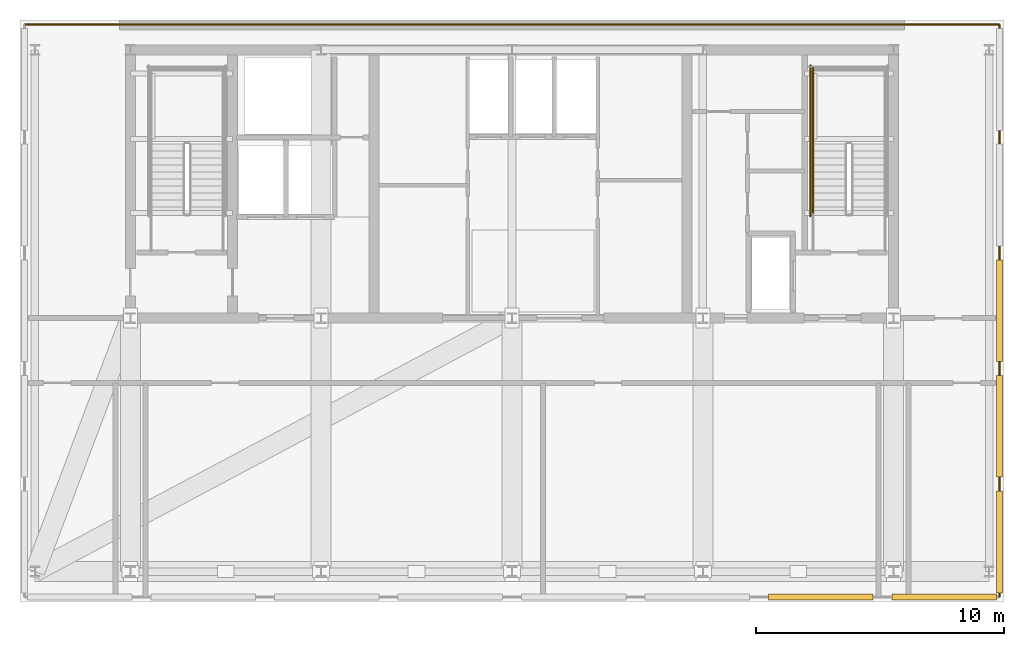
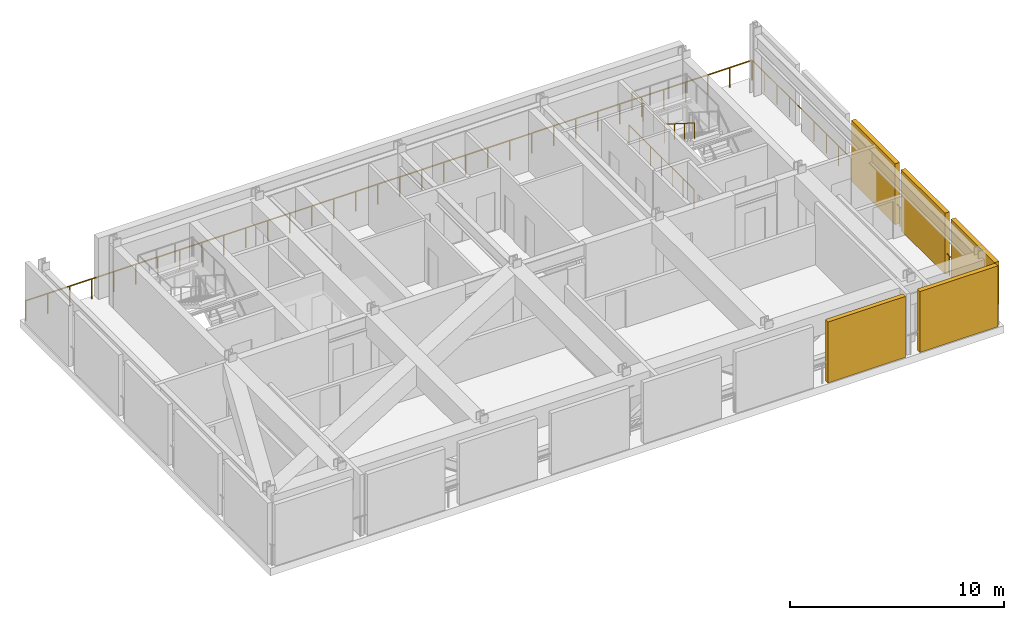
# One storey, part 7 of 8: 5 railings, 5 shading devices.
"""IFC4 building model written with IfcOpenShell, lengths in metres."""

from ifc_helpers import new_model, si_unit, direction, frame, origin, origin_2d, place, context, subcontext, project, spatial, rectangle, circle, extrude, material, layer, layer_set, type_object, element, save


model = new_model("IFC4")

# Units and contexts
model_context = context("Model", 3, precision=1e-05, world=origin(), true_north=direction((0.0, 1.0)))
body_context = subcontext(model_context, "Body", "Model", "MODEL_VIEW")
ifc_project = project(units=[si_unit("LENGTHUNIT", "METRE"), si_unit("AREAUNIT", "SQUARE_METRE"), si_unit("VOLUMEUNIT", "CUBIC_METRE"), si_unit("PLANEANGLEUNIT", "RADIAN"), si_unit("MASSUNIT", "GRAM", prefix="KILO")], contexts=[model_context])

# Site, building, storey
site_placement = place(None, origin())
site = spatial("IfcSite", under=ifc_project, at=site_placement, CompositionType="ELEMENT")
building_placement = place(site_placement, origin())
building = spatial("IfcBuilding", under=site, at=building_placement, Name="Yelkora Congress Tower", CompositionType="ELEMENT")
storey_placement = place(building_placement, frame((0.0, 0.0, 255.199951171875)))
storey = spatial("IfcBuildingStorey", under=building, at=storey_placement, Name="L71", CompositionType="ELEMENT", Elevation=255.199951171875)

# Railings
ifc_material_1 = material(Name="Stainless steel 316L and laminated glass infill", Category="steel")
ifc_layer_1 = layer(ifc_material_1, 0.080078125)
ifc_layer_set_1 = layer_set([ifc_layer_1], Name="Stainless steel 316L and laminated glass infill")
railing_type_1 = type_object("IfcRailingType", Name="RAIL-EXT-GUARD-1150", PredefinedType="GUARDRAIL", material=ifc_layer_set_1)
railing_1_placement = place(storey_placement, frame((58.02001953125, 24.199951171875, 0.0)))
element("IfcRailing", 1, at=railing_1_placement, inside=storey, type_object=railing_type_1, Name="L71 Wind-Floor Perimeter Guardrail E", PredefinedType="GUARDRAIL", context=body_context, shape_type="SweptSolid", body=[
    extrude(circle(Radius=0.02392578125, at=origin_2d()), frame((0.0, 0.0, 1.1259765625), z_axis=(0.0, 1.0, 0.0), x_axis=(-1.0, 0.0, 0.0)), (0.0, 0.0, 1.0), 23.0),
    extrude(circle(Radius=0.02099609375, at=origin_2d()), origin(), (0.0, 0.0, 1.0), 1.101806640625),
    extrude(circle(Radius=0.02099609375, at=origin_2d()), frame((0.0, 1.14990234375, 0.0)), (0.0, 0.0, 1.0), 1.101806640625),
    extrude(circle(Radius=0.02099609375, at=origin_2d()), frame((0.0, 2.300048828125, 0.0)), (0.0, 0.0, 1.0), 1.101806640625),
    extrude(circle(Radius=0.02099609375, at=origin_2d()), frame((0.0, 3.449951171875, 0.0)), (0.0, 0.0, 1.0), 1.101806640625),
    extrude(circle(Radius=0.02099609375, at=origin_2d()), frame((0.0, 4.60009765625, 0.0)), (0.0, 0.0, 1.0), 1.101806640625),
    extrude(circle(Radius=0.02099609375, at=origin_2d()), frame((0.0, 5.75, 0.0)), (0.0, 0.0, 1.0), 1.101806640625),
    extrude(circle(Radius=0.02099609375, at=origin_2d()), frame((0.0, 6.89990234375, 0.0)), (0.0, 0.0, 1.0), 1.101806640625),
    extrude(circle(Radius=0.02099609375, at=origin_2d()), frame((0.0, 8.050048828125, 0.0)), (0.0, 0.0, 1.0), 1.101806640625),
    extrude(circle(Radius=0.02099609375, at=origin_2d()), frame((0.0, 9.199951171875, 0.0)), (0.0, 0.0, 1.0), 1.101806640625),
    extrude(circle(Radius=0.02099609375, at=origin_2d()), frame((0.0, 10.35009765625, 0.0)), (0.0, 0.0, 1.0), 1.101806640625),
    extrude(circle(Radius=0.02099609375, at=origin_2d()), frame((0.0, 11.5, 0.0)), (0.0, 0.0, 1.0), 1.101806640625),
    extrude(circle(Radius=0.02099609375, at=origin_2d()), frame((0.0, 12.64990234375, 0.0)), (0.0, 0.0, 1.0), 1.101806640625),
    extrude(circle(Radius=0.02099609375, at=origin_2d()), frame((0.0, 13.800048828125, 0.0)), (0.0, 0.0, 1.0), 1.101806640625),
    extrude(circle(Radius=0.02099609375, at=origin_2d()), frame((0.0, 14.949951171875, 0.0)), (0.0, 0.0, 1.0), 1.101806640625),
    extrude(circle(Radius=0.02099609375, at=origin_2d()), frame((0.0, 16.10009765625, 0.0)), (0.0, 0.0, 1.0), 1.101806640625),
    extrude(circle(Radius=0.02099609375, at=origin_2d()), frame((0.0, 17.25, 0.0)), (0.0, 0.0, 1.0), 1.101806640625),
    extrude(circle(Radius=0.02099609375, at=origin_2d()), frame((0.0, 18.39990234375, 0.0)), (0.0, 0.0, 1.0), 1.101806640625),
    extrude(circle(Radius=0.02099609375, at=origin_2d()), frame((0.0, 19.550048828125, 0.0)), (0.0, 0.0, 1.0), 1.101806640625),
    extrude(circle(Radius=0.02099609375, at=origin_2d()), frame((0.0, 20.699951171875, 0.0)), (0.0, 0.0, 1.0), 1.101806640625),
    extrude(circle(Radius=0.02099609375, at=origin_2d()), frame((0.0, 21.85009765625, 0.0)), (0.0, 0.0, 1.0), 1.101806640625),
    extrude(circle(Radius=0.02099609375, at=origin_2d()), frame((0.0, 23.0, 0.0)), (0.0, 0.0, 1.0), 1.101806640625),
])
railing_2_placement = place(storey_placement, frame((18.800048828125, 47.219970703125, 0.0)))
element("IfcRailing", 2, at=railing_2_placement, inside=storey, type_object=railing_type_1, Name="L71 North Perimeter Guardrail", PredefinedType="GUARDRAIL", context=body_context, shape_type="SweptSolid", body=[
    extrude(circle(Radius=0.02392578125, at=origin_2d()), frame((0.0, 0.0, 1.1259765625), z_axis=(1.0, 0.0, 0.0), x_axis=(0.0, 1.0, 0.0)), (0.0, 0.0, 1.0), 39.199951171875),
    extrude(circle(Radius=0.02099609375, at=origin_2d()), origin(), (0.0, 0.0, 1.0), 1.101806640625),
    extrude(circle(Radius=0.02099609375, at=origin_2d()), frame((1.18798828125, 0.0, 0.0)), (0.0, 0.0, 1.0), 1.101806640625),
    extrude(circle(Radius=0.02099609375, at=origin_2d()), frame((2.375732421875, 0.0, 0.0)), (0.0, 0.0, 1.0), 1.101806640625),
    extrude(circle(Radius=0.02099609375, at=origin_2d()), frame((3.563720703125, 0.0, 0.0)), (0.0, 0.0, 1.0), 1.101806640625),
    extrude(circle(Radius=0.02099609375, at=origin_2d()), frame((4.75146484375, 0.0, 0.0)), (0.0, 0.0, 1.0), 1.101806640625),
    extrude(circle(Radius=0.02099609375, at=origin_2d()), frame((5.939453125, 0.0, 0.0)), (0.0, 0.0, 1.0), 1.101806640625),
    extrude(circle(Radius=0.02099609375, at=origin_2d()), frame((7.127197265625, 0.0, 0.0)), (0.0, 0.0, 1.0), 1.101806640625),
    extrude(circle(Radius=0.02099609375, at=origin_2d()), frame((8.315185546875, 0.0, 0.0)), (0.0, 0.0, 1.0), 1.101806640625),
    extrude(circle(Radius=0.02099609375, at=origin_2d()), frame((9.5029296875, 0.0, 0.0)), (0.0, 0.0, 1.0), 1.101806640625),
    extrude(circle(Radius=0.02099609375, at=origin_2d()), frame((10.69091796875, 0.0, 0.0)), (0.0, 0.0, 1.0), 1.101806640625),
    extrude(circle(Radius=0.02099609375, at=origin_2d()), frame((11.878662109375, 0.0, 0.0)), (0.0, 0.0, 1.0), 1.101806640625),
    extrude(circle(Radius=0.02099609375, at=origin_2d()), frame((13.066650390625, 0.0, 0.0)), (0.0, 0.0, 1.0), 1.101806640625),
    extrude(circle(Radius=0.02099609375, at=origin_2d()), frame((14.254638671875, 0.0, 0.0)), (0.0, 0.0, 1.0), 1.101806640625),
    extrude(circle(Radius=0.02099609375, at=origin_2d()), frame((15.4423828125, 0.0, 0.0)), (0.0, 0.0, 1.0), 1.101806640625),
    extrude(circle(Radius=0.02099609375, at=origin_2d()), frame((16.63037109375, 0.0, 0.0)), (0.0, 0.0, 1.0), 1.101806640625),
    extrude(circle(Radius=0.02099609375, at=origin_2d()), frame((17.818115234375, 0.0, 0.0)), (0.0, 0.0, 1.0), 1.101806640625),
    extrude(circle(Radius=0.02099609375, at=origin_2d()), frame((19.006103515625, 0.0, 0.0)), (0.0, 0.0, 1.0), 1.101806640625),
    extrude(circle(Radius=0.02099609375, at=origin_2d()), frame((20.19384765625, 0.0, 0.0)), (0.0, 0.0, 1.0), 1.101806640625),
    extrude(circle(Radius=0.02099609375, at=origin_2d()), frame((21.3818359375, 0.0, 0.0)), (0.0, 0.0, 1.0), 1.101806640625),
    extrude(circle(Radius=0.02099609375, at=origin_2d()), frame((22.569580078125, 0.0, 0.0)), (0.0, 0.0, 1.0), 1.101806640625),
    extrude(circle(Radius=0.02099609375, at=origin_2d()), frame((23.757568359375, 0.0, 0.0)), (0.0, 0.0, 1.0), 1.101806640625),
    extrude(circle(Radius=0.02099609375, at=origin_2d()), frame((24.9453125, 0.0, 0.0)), (0.0, 0.0, 1.0), 1.101806640625),
    extrude(circle(Radius=0.02099609375, at=origin_2d()), frame((26.13330078125, 0.0, 0.0)), (0.0, 0.0, 1.0), 1.101806640625),
    extrude(circle(Radius=0.02099609375, at=origin_2d()), frame((27.3212890625, 0.0, 0.0)), (0.0, 0.0, 1.0), 1.101806640625),
    extrude(circle(Radius=0.02099609375, at=origin_2d()), frame((28.509033203125, 0.0, 0.0)), (0.0, 0.0, 1.0), 1.101806640625),
    extrude(circle(Radius=0.02099609375, at=origin_2d()), frame((29.697021484375, 0.0, 0.0)), (0.0, 0.0, 1.0), 1.101806640625),
    extrude(circle(Radius=0.02099609375, at=origin_2d()), frame((30.884765625, 0.0, 0.0)), (0.0, 0.0, 1.0), 1.101806640625),
    extrude(circle(Radius=0.02099609375, at=origin_2d()), frame((32.07275390625, 0.0, 0.0)), (0.0, 0.0, 1.0), 1.101806640625),
    extrude(circle(Radius=0.02099609375, at=origin_2d()), frame((33.260498046875, 0.0, 0.0)), (0.0, 0.0, 1.0), 1.101806640625),
    extrude(circle(Radius=0.02099609375, at=origin_2d()), frame((34.448486328125, 0.0, 0.0)), (0.0, 0.0, 1.0), 1.101806640625),
    extrude(circle(Radius=0.02099609375, at=origin_2d()), frame((35.63623046875, 0.0, 0.0)), (0.0, 0.0, 1.0), 1.101806640625),
    extrude(circle(Radius=0.02099609375, at=origin_2d()), frame((36.82421875, 0.0, 0.0)), (0.0, 0.0, 1.0), 1.101806640625),
    extrude(circle(Radius=0.02099609375, at=origin_2d()), frame((38.011962890625, 0.0, 0.0)), (0.0, 0.0, 1.0), 1.101806640625),
    extrude(circle(Radius=0.02099609375, at=origin_2d()), frame((39.199951171875, 0.0, 0.0)), (0.0, 0.0, 1.0), 1.101806640625),
])
ifc_material_2 = material(Name="Painted galvanised steel stair well guard with vertical infill", Category="steel")
ifc_layer_2 = layer(ifc_material_2, 0.06005859375)
ifc_layer_set_2 = layer_set([ifc_layer_2], Name="Painted galvanised steel stair well guard with vertical infill")
railing_type_2 = type_object("IfcRailingType", Name="RAIL-STAIR-GUARD-1120", PredefinedType="GUARDRAIL", material=ifc_layer_set_2)
railing_3_placement = place(storey_placement, frame((50.510009765625, 42.39990234375, 1.949951171875)))
element("IfcRailing", 3, at=railing_3_placement, inside=storey, type_object=railing_type_2, Name="ST-02 L71 Stair Well Guardrail 4", PredefinedType="GUARDRAIL", context=body_context, shape_type="SweptSolid", body=[
    extrude(circle(Radius=0.02392578125, at=origin_2d()), frame((0.0, 0.0, 1.09619140625), z_axis=(0.0, 1.0, 0.0), x_axis=(-1.0, 0.0, 0.0)), (0.0, 0.0, 1.0), 3.070068359375),
    extrude(circle(Radius=0.02099609375, at=origin_2d()), origin(), (0.0, 0.0, 1.0), 1.072021484375),
    extrude(circle(Radius=0.02099609375, at=origin_2d()), frame((0.0, 1.0234375, 0.0)), (0.0, 0.0, 1.0), 1.072021484375),
    extrude(circle(Radius=0.02099609375, at=origin_2d()), frame((0.0, 2.046630859375, 0.0)), (0.0, 0.0, 1.0), 1.072021484375),
    extrude(circle(Radius=0.02099609375, at=origin_2d()), frame((0.0, 3.070068359375, 0.0)), (0.0, 0.0, 1.0), 1.072021484375),
])
railing_4_placement = place(storey_placement, frame((50.409912109375, 39.5, 0.0)))
element("IfcRailing", 4, at=railing_4_placement, inside=storey, type_object=railing_type_2, Name="ST-02 L71 Stair Well Guardrail 11", PredefinedType="GUARDRAIL", context=body_context, shape_type="SweptSolid", body=[
    extrude(circle(Radius=0.02392578125, at=origin_2d()), frame((0.0, 0.0, 1.09619140625), z_axis=(0.0, 1.0, 0.0), x_axis=(-1.0, 0.0, 0.0)), (0.0, 0.0, 1.0), 6.070068359375),
    extrude(circle(Radius=0.02099609375, at=origin_2d()), origin(), (0.0, 0.0, 1.0), 1.072021484375),
    extrude(circle(Radius=0.02099609375, at=origin_2d()), frame((0.0, 1.01171875, 0.0)), (0.0, 0.0, 1.0), 1.072021484375),
    extrude(circle(Radius=0.02099609375, at=origin_2d()), frame((0.0, 2.0234375, 0.0)), (0.0, 0.0, 1.0), 1.072021484375),
    extrude(circle(Radius=0.02099609375, at=origin_2d()), frame((0.0, 3.03515625, 0.0)), (0.0, 0.0, 1.0), 1.072021484375),
    extrude(circle(Radius=0.02099609375, at=origin_2d()), frame((0.0, 4.046630859375, 0.0)), (0.0, 0.0, 1.0), 1.072021484375),
    extrude(circle(Radius=0.02099609375, at=origin_2d()), frame((0.0, 5.058349609375, 0.0)), (0.0, 0.0, 1.0), 1.072021484375),
    extrude(circle(Radius=0.02099609375, at=origin_2d()), frame((0.0, 6.070068359375, 0.0)), (0.0, 0.0, 1.0), 1.072021484375),
])
ifc_material_3 = material(Name="Brushed stainless steel tubular handrail", Category="steel")
ifc_layer_3 = layer(ifc_material_3, 0.050048828125)
ifc_layer_set_3 = layer_set([ifc_layer_3], Name="Brushed stainless steel tubular handrail")
railing_type_3 = type_object("IfcRailingType", Name="RAIL-STAIR-HAND-920", PredefinedType="HANDRAIL", material=ifc_layer_set_3)
railing_5_placement = place(storey_placement, frame((50.510009765625, 42.39990234375, 2.12744140625)))
element("IfcRailing", 5, at=railing_5_placement, inside=storey, type_object=railing_type_3, Name="ST-02 L71 Pitch Handrail 2", PredefinedType="HANDRAIL", context=body_context, shape_type="SweptSolid", body=[
    extrude(circle(Radius=0.02392578125, at=origin_2d()), frame((0.0, 0.0, 0.89599609375), z_axis=(0.0, -0.844887892834, 0.53494340686), x_axis=(1.0, 0.0, 0.0)), (0.0, 0.0, 1.0), 3.313720703125),
    extrude(circle(Radius=0.02099609375, at=origin_2d()), origin(), (0.0, 0.0, 1.0), 0.871826171875),
    extrude(circle(Radius=0.02099609375, at=origin_2d()), frame((0.0, -0.933349609375, 0.5908203125)), (0.0, 0.0, 1.0), 0.871826171875),
    extrude(circle(Radius=0.02099609375, at=origin_2d()), frame((0.0, -1.866455078125, 1.181884765625)), (0.0, 0.0, 1.0), 0.871826171875),
    extrude(circle(Radius=0.02099609375, at=origin_2d()), frame((0.0, -2.7998046875, 1.772705078125)), (0.0, 0.0, 1.0), 0.871826171875),
])

# Shading devices
ifc_material_4 = material(Name="Perforated anodised aluminium louvre", Category="aluminium")
ifc_layer_4 = layer(ifc_material_4, 3.39990234375)
ifc_layer_set_4 = layer_set([ifc_layer_4], Name="Perforated anodised aluminium louvre")
shading_device_type = type_object("IfcShadingDeviceType", Name="SHD-LOUVRE-WIND", PredefinedType="JALOUSIE", material=ifc_layer_set_4)
for number, where, z_axis, x_axis, name in (
    (6, (58.02001953125, 26.39990234375, 0.0), (0.0, 0.0, 1.0), (1.0, 0.0, 0.0), "L71 Acoustic Wind-Floor Louvre Screen E1"),
    (7, (58.02001953125, 31.050048828125, 0.0), (0.0, 0.0, 1.0), (1.0, 0.0, 0.0), "L71 Acoustic Wind-Floor Louvre Screen E2"),
    (8, (58.02001953125, 35.699951171875, 0.0), (0.0, 0.0, 1.0), (1.0, 0.0, 0.0), "L71 Acoustic Wind-Floor Louvre Screen E3"),
):
    element("IfcShadingDevice", number, at=place(storey_placement, frame(where, z_axis=z_axis, x_axis=x_axis)), inside=storey, type_object=shading_device_type, Name=name, PredefinedType="JALOUSIE", context=body_context, shape_type="SweptSolid", body=[
        extrude(rectangle(XDim=0.239990234375, YDim=4.10009765625, at=origin_2d()), origin(), (0.0, 0.0, 1.0), 3.47998046875),
    ])
for number, where, z_axis, x_axis, name in (
    (9, (50.82861328125, 24.179931640625, 0.0), (0.0, 0.0, 1.0), (1.0, 0.0, 0.0), "L71 South Blow-Through Wind Louvre 7"),
    (10, (55.800048828125, 24.179931640625, 0.0), (0.0, 0.0, 1.0), (1.0, 0.0, 0.0), "L71 South Blow-Through Wind Louvre 8"),
):
    element("IfcShadingDevice", number, at=place(storey_placement, frame(where, z_axis=z_axis, x_axis=x_axis)), inside=storey, type_object=shading_device_type, Name=name, PredefinedType="JALOUSIE", context=body_context, shape_type="SweptSolid", body=[
        extrude(rectangle(XDim=4.199951171875, YDim=0.239990234375, at=origin_2d()), origin(), (0.0, 0.0, 1.0), 3.47998046875),
    ])

save(model, "model.ifc")
